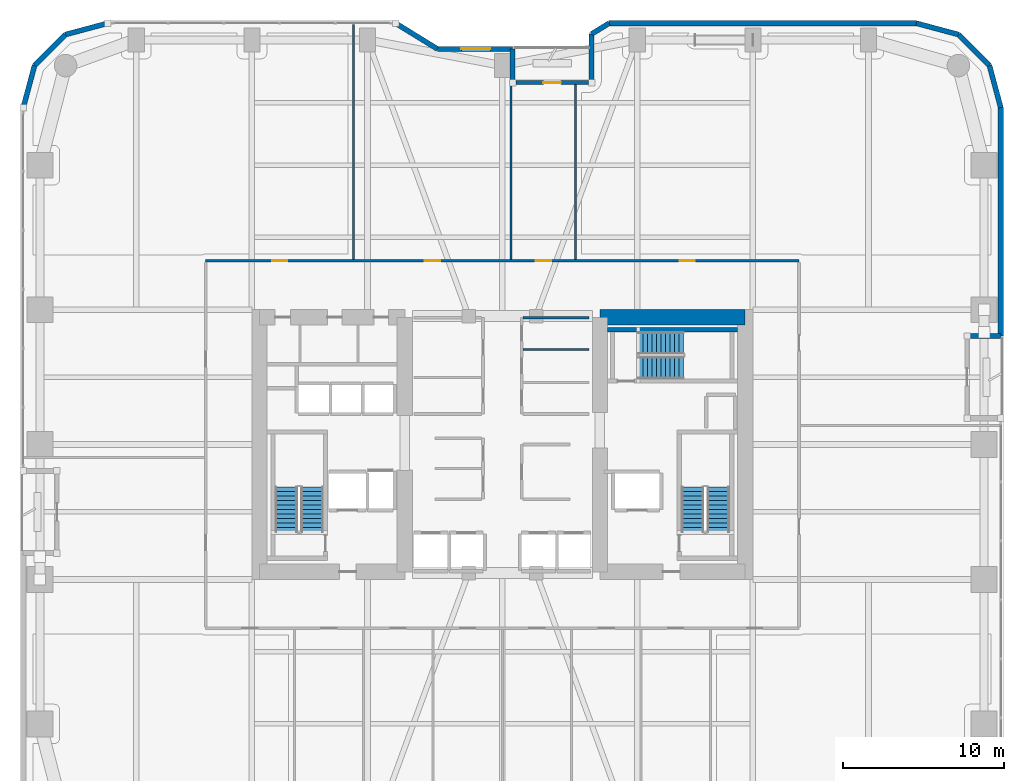
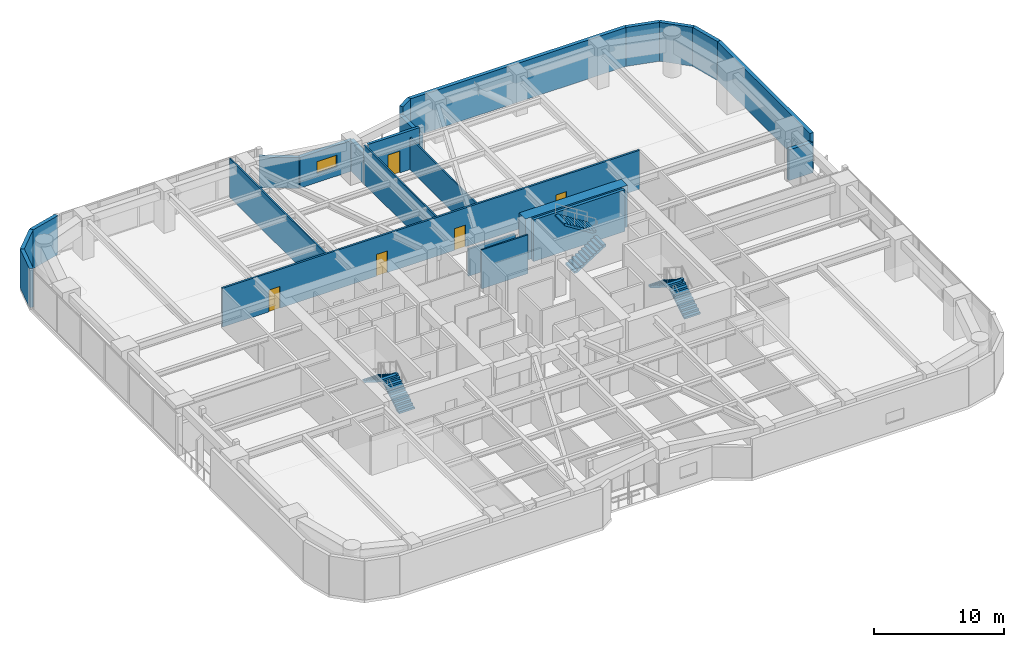
# One storey, part 25 of 28: 23 walls, 6 stair flights, 5 doors, 1 window, 6 openings, 3 elements without a shape of their own.
"""IFC4 building model written with IfcOpenShell, lengths in metres."""

import ifcopenshell
import ifcopenshell.guid

model = None  # the IFC model being written
_history = None  # IfcOwnerHistory: only IFC2X3 demands one
_inside = {}  # id of a spatial element -> (the spatial element, [elements in it])
_under = {}  # id of a project, library or spatial element -> (it, [spatial elements below it])
_declared = {}  # id of a project -> (the project, [libraries it declares])
_typed = {}  # id of a type object -> (the type object, [elements of that type])
_made_of = {}  # id of a material, layer set ... -> (it, [elements and type objects made of it])


def new_model(schema):
    """Start an empty IFC model of exactly this schema.

    Asked for "IFC4X3", IfcOpenShell would pick the latest addendum, in which some entities
    have other attributes; the version numbers below select the first issue.
    IFC2X3 requires an IfcOwnerHistory on every rooted entity: one is made here for all.
    """
    global model, _history
    if schema == "IFC4X3":
        model = ifcopenshell.file(schema_version=(4, 3, 0, 0))
    else:
        model = ifcopenshell.file(schema=schema)
    _inside.clear()
    _under.clear()
    _declared.clear()
    _typed.clear()
    _made_of.clear()
    _history = None
    if model.schema == "IFC2X3":
        org = make("IfcOrganization", Name="unknown")
        user = make(
            "IfcPersonAndOrganization",
            ThePerson=make("IfcPerson", FamilyName="unknown"),
            TheOrganization=org,
        )
        app = make(
            "IfcApplication",
            ApplicationDeveloper=org,
            Version="unknown",
            ApplicationFullName="unknown",
            ApplicationIdentifier="unknown",
        )
        _history = make(
            "IfcOwnerHistory",
            OwningUser=user,
            OwningApplication=app,
            ChangeAction="ADDED",
            CreationDate=0,
        )
    return model


def make(cls, **values):
    """One entity of the class cls with the attributes given. An attribute that is None is left unset."""
    return model.create_entity(
        cls, **{name: value for name, value in values.items() if value is not None}
    )


def rooted(cls, **values):
    """An entity with a GlobalId (a new one), such as an element, a storey or a relation."""
    return make(cls, GlobalId=ifcopenshell.guid.new(), OwnerHistory=_history, **values)


def si_unit(unit_type, name, prefix=None):
    """IfcSIUnit, for example si_unit("LENGTHUNIT", "METRE", prefix="MILLI")."""
    return make("IfcSIUnit", UnitType=unit_type, Prefix=prefix, Name=name)


def assignment(units):
    """IfcUnitAssignment: the units of a project."""
    return None if units is None else make("IfcUnitAssignment", Units=units)


def point(xyz):
    """IfcCartesianPoint."""
    return None if xyz is None else make("IfcCartesianPoint", Coordinates=xyz)


def direction(xyz):
    """IfcDirection."""
    return None if xyz is None else make("IfcDirection", DirectionRatios=xyz)


def frame(location, z_axis=None, x_axis=None):
    """IfcAxis2Placement3D, a coordinate frame: its origin and axes. An axis left out is left unset."""
    return make(
        "IfcAxis2Placement3D",
        Location=point(location),
        Axis=direction(z_axis),
        RefDirection=direction(x_axis),
    )


def frame_2d(location, x_axis=None):
    """IfcAxis2Placement2D, a coordinate frame in the plane: its origin and x axis."""
    return make(
        "IfcAxis2Placement2D", Location=point(location), RefDirection=direction(x_axis)
    )


def origin():
    """The frame at (0, 0, 0) with its axes left unset."""
    return frame((0.0, 0.0, 0.0))


def place(relative_to, where):
    """IfcLocalPlacement: puts the frame where relative to a parent placement (None: the world)."""
    return make(
        "IfcLocalPlacement", PlacementRelTo=relative_to, RelativePlacement=where
    )


def context(
    kind, dimensions, precision=None, world=None, true_north=None, identifier=None
):
    """IfcGeometricRepresentationContext, for example the 3D "Model" context."""
    return make(
        "IfcGeometricRepresentationContext",
        ContextIdentifier=identifier,
        ContextType=kind,
        CoordinateSpaceDimension=dimensions,
        Precision=precision,
        WorldCoordinateSystem=world,
        TrueNorth=true_north,
    )


def subcontext(parent, identifier, kind, view, scale=None):
    """IfcGeometricRepresentationSubContext, for example "Body" below "Model"."""
    return make(
        "IfcGeometricRepresentationSubContext",
        ContextIdentifier=identifier,
        ContextType=kind,
        ParentContext=parent,
        TargetScale=scale,
        TargetView=view,
    )


def project(units=None, contexts=None):
    """IfcProject with its units and contexts."""
    return rooted(
        "IfcProject",
        Name="project",
        RepresentationContexts=contexts,
        UnitsInContext=assignment(units),
    )


def spatial(cls, under=None, at=None, **own):
    """A site, building, storey or space (cls), placed at a placement, below another one or the project."""
    s = rooted(cls, ObjectPlacement=at, **own)
    if under is not None:
        _under.setdefault(under.id(), (under, []))[1].append(s)
    return s


def polyline(points):
    """IfcPolyline through the points."""
    return make("IfcPolyline", Points=[point(p) for p in points])


def profile(cls, at=None, kind="AREA", **sizes):
    """A parametric profile (cls). Its sizes go by their IFC names, for example OverallWidth=200.0."""
    return make(cls, ProfileType=kind, Position=at, **sizes)


def rectangle(**sizes):
    """IfcRectangleProfileDef."""
    return profile("IfcRectangleProfileDef", **sizes)


def outline(outer, holes=None, kind="AREA"):
    """IfcArbitraryClosedProfileDef: a profile drawn as a closed curve; with holes, ...WithVoids."""
    if holes is None:
        return make("IfcArbitraryClosedProfileDef", ProfileType=kind, OuterCurve=outer)
    return make(
        "IfcArbitraryProfileDefWithVoids",
        ProfileType=kind,
        OuterCurve=outer,
        InnerCurves=holes,
    )


def extrude(swept, where, along, depth):
    """IfcExtrudedAreaSolid: the profile swept, set in the frame where, extruded along a direction by depth."""
    return make(
        "IfcExtrudedAreaSolid",
        SweptArea=swept,
        Position=where,
        ExtrudedDirection=direction(along),
        Depth=depth,
    )


def shape(context_of_items, identifier, shape_type, items):
    """IfcShapeRepresentation: the items that make up one representation, for example the "Body"."""
    return make(
        "IfcShapeRepresentation",
        ContextOfItems=context_of_items,
        RepresentationIdentifier=identifier,
        RepresentationType=shape_type,
        Items=items,
    )


def material(Name=None, Category=None):
    """IfcMaterial."""
    return make("IfcMaterial", Name=Name, Category=Category)


def layer(
    of_material, thickness, ventilated=None, Name=None, Category=None, Priority=None
):
    """IfcMaterialLayer: one layer of a wall or slab, of a material (None: an air gap)."""
    return make(
        "IfcMaterialLayer",
        Material=of_material,
        LayerThickness=thickness,
        IsVentilated=ventilated,
        Name=Name,
        Category=Category,
        Priority=Priority,
    )


def layer_set(layers, Name=None):
    """IfcMaterialLayerSet."""
    return make("IfcMaterialLayerSet", MaterialLayers=layers, LayerSetName=Name)


def made_of(thing, what):
    """Note that an element or type object is made of a material, layer set ...; save() writes the relation."""
    if what is not None:
        _made_of.setdefault(what.id(), (what, []))[1].append(thing)
    return thing


def type_object(cls, material=None, **own):
    """A type object (cls), such as IfcWallType, which elements share."""
    return made_of(rooted(cls, **own), material)


def element(
    cls,
    number,
    at=None,
    inside=None,
    cuts=None,
    type_object=None,
    material=None,
    context=None,
    identifier="Body",
    shape_type=None,
    held_by="IfcProductDefinitionShape",
    body=None,
    shapes=None,
    **own,
):
    """One element of the class cls, such as IfcWall. Its Tag is "e" and its number.

    at: its placement. inside: the storey or other place that contains it. cuts: it is an
    opening in that element (IfcRelVoidsElement). A single representation is given by context,
    identifier, shape_type and body (its items); several are given by shapes. held_by: the class
    of the entity that holds the representations. save() writes the other relations.
    """
    e = rooted(cls, Tag="e%d" % number, ObjectPlacement=at, **own)
    if body is not None:
        shapes = [shape(context, identifier, shape_type, body)]
    if shapes is not None:
        e.Representation = make(held_by, Representations=shapes)
    if inside is not None:
        _inside.setdefault(inside.id(), (inside, []))[1].append(e)
    if cuts is not None:
        rooted(
            "IfcRelVoidsElement", RelatingBuildingElement=cuts, RelatedOpeningElement=e
        )
    if type_object is not None:
        _typed.setdefault(type_object.id(), (type_object, []))[1].append(e)
    return made_of(e, material)


def fill(opening, filler):
    """IfcRelFillsElement: the door or window that sits in an opening."""
    return rooted(
        "IfcRelFillsElement",
        RelatingOpeningElement=opening,
        RelatedBuildingElement=filler,
    )


def aggregate(whole, parts):
    """IfcRelAggregates: a whole, such as a stair, and the parts it consists of."""
    return rooted("IfcRelAggregates", RelatingObject=whole, RelatedObjects=parts)


def save(model, path):
    """Write the relations noted so far, then the file.

    IfcRelAggregates (storeys below a building ...), IfcRelContainedInSpatialStructure (elements
    in a storey), IfcRelDefinesByType, IfcRelAssociatesMaterial and IfcRelDeclares: one each for
    every whole, place, type object, material and project.
    """
    for whole, parts in _under.values():
        aggregate(whole, parts)
    for where, things in _inside.values():
        rooted(
            "IfcRelContainedInSpatialStructure",
            RelatedElements=things,
            RelatingStructure=where,
        )
    for kind, things in _typed.values():
        rooted("IfcRelDefinesByType", RelatedObjects=things, RelatingType=kind)
    for what, things in _made_of.values():
        rooted("IfcRelAssociatesMaterial", RelatedObjects=things, RelatingMaterial=what)
    for by, libraries in _declared.values():
        rooted("IfcRelDeclares", RelatingContext=by, RelatedDefinitions=libraries)
    model.write(path)


model = new_model("IFC4")

# Units and contexts
model_context = context("Model", 3, precision=1e-05, world=origin(), true_north=direction((0.0, 1.0)))
body_context = subcontext(model_context, "Body", "Model", "MODEL_VIEW")
ifc_project = project(units=[si_unit("LENGTHUNIT", "METRE"), si_unit("AREAUNIT", "SQUARE_METRE"), si_unit("VOLUMEUNIT", "CUBIC_METRE"), si_unit("PLANEANGLEUNIT", "RADIAN"), si_unit("MASSUNIT", "GRAM", prefix="KILO")], contexts=[model_context])

# Site, building, storey
site_placement = place(None, origin())
site = spatial("IfcSite", under=ifc_project, at=site_placement, CompositionType="ELEMENT")
building_placement = place(site_placement, origin())
building = spatial("IfcBuilding", under=site, at=building_placement, Name="Kiyonajd Concourse Tower", CompositionType="ELEMENT")
storey_placement = place(building_placement, frame((0.0, 0.0, 60.60009765625)))
storey = spatial("IfcBuildingStorey", under=building, at=storey_placement, Name="L16", CompositionType="ELEMENT", Elevation=60.60009765625)

# Walls
ifc_material_1 = material(Name="Concrete C80/95", Category="concrete")
ifc_layer_1 = layer(ifc_material_1, 0.949951171875)
ifc_layer_set_1 = layer_set([ifc_layer_1], Name="Concrete C80/95")
wall_type_1 = type_object("IfcWallType", Name="WL-CORE-950", PredefinedType="SHEAR", material=ifc_layer_set_1)
wall_1_placement = place(storey_placement, frame((54.074951171875, 43.925048828125, 0.0), z_axis=(0.0, 0.0, 1.0), x_axis=(1.0, 0.0, 0.0)))
element("IfcWall", 1, at=wall_1_placement, inside=storey, type_object=wall_type_1, Name="L16 East Core North Shear Wall", PredefinedType="SHEAR", context=body_context, shape_type="SweptSolid", body=[
    extrude(rectangle(XDim=9.050048828125, YDim=0.949951171875, at=frame_2d((4.52490234375, 0.0))), origin(), (0.0, 0.0, 1.0), 3.89990234375),
])
ifc_material_2 = material(Name="Precast concrete C50/60", Category="concrete")
ifc_layer_2 = layer(ifc_material_2, 0.320068359375)
ifc_layer_set_2 = layer_set([ifc_layer_2], Name="Precast concrete C50/60")
wall_type_2 = type_object("IfcWallType", Name="WL-EXT-320", PredefinedType="SOLIDWALL", material=ifc_layer_set_2)
wall_2_placement = place(storey_placement, frame((18.159912109375, 56.97900390625, 0.0), z_axis=(0.0, 0.0, 1.0), x_axis=(0.25869736047, 0.965958423373, 0.0)))
element("IfcWall", 2, at=wall_2_placement, inside=storey, type_object=wall_type_2, Name="L16 Exterior Concrete Frame Wall 06", PredefinedType="SOLIDWALL", context=body_context, shape_type="SweptSolid", body=[
    extrude(rectangle(XDim=2.731201171875, YDim=0.320068359375, at=frame_2d((1.36572265625, 0.0))), origin(), (0.0, 0.0, 1.0), 3.639892578125),
])
wall_3_placement = place(storey_placement, frame((18.866455078125, 59.6171875, 0.0), z_axis=(0.0, 0.0, 1.0), x_axis=(0.707106781187, 0.707106781187, 0.0)))
element("IfcWall", 3, at=wall_3_placement, inside=storey, type_object=wall_type_2, Name="L16 Exterior Concrete Frame Wall 07", PredefinedType="SOLIDWALL", context=body_context, shape_type="SweptSolid", body=[
    extrude(rectangle(XDim=2.7099609375, YDim=0.320068359375, at=frame_2d((1.35498046875, 0.0))), origin(), (0.0, 0.0, 1.0), 3.639892578125),
])
wall_4_placement = place(storey_placement, frame((20.78271484375, 61.533447265625, 0.0), z_axis=(0.0, 0.0, 1.0), x_axis=(0.965964405026, 0.25867502435, 0.0)))
element("IfcWall", 4, at=wall_4_placement, inside=storey, type_object=wall_type_2, Name="L16 Exterior Concrete Frame Wall 08", PredefinedType="SOLIDWALL", context=body_context, shape_type="SweptSolid", body=[
    extrude(rectangle(XDim=2.7314453125, YDim=0.320068359375, at=frame_2d((1.36572265625, 0.0))), origin(), (0.0, 0.0, 1.0), 3.639892578125),
])
wall_5_placement = place(storey_placement, frame((41.354736328125, 62.239990234375, 0.0), z_axis=(0.0, 0.0, 1.0), x_axis=(0.851630857047, -0.524142044989, 0.0)))
element("IfcWall", 5, at=wall_5_placement, inside=storey, type_object=wall_type_2, Name="L16 Exterior Concrete Frame Wall 10", PredefinedType="SOLIDWALL", context=body_context, shape_type="SweptSolid", body=[
    extrude(rectangle(XDim=3.052734375, YDim=0.320068359375, at=frame_2d((1.5263671875, 0.0))), origin(), (0.0, 0.0, 1.0), 2.875),
])

# Wall, opening, window
wall_6_placement = place(storey_placement, frame((43.95458984375, 60.639892578125, 0.0), z_axis=(0.0, 0.0, 1.0), x_axis=(1.0, 0.0, 0.0)))
wall_6 = element("IfcWall", 6, at=wall_6_placement, inside=storey, type_object=wall_type_2, Name="L16 Exterior Concrete Frame Wall 11", PredefinedType="SOLIDWALL", context=body_context, shape_type="SweptSolid", body=[
    extrude(rectangle(XDim=4.685302734375, YDim=0.320068359375, at=frame_2d((2.3427734375, 0.0))), origin(), (0.0, 0.0, 1.0), 2.875),
])
opening_1_placement = place(wall_6_placement, frame((1.492919921875, 0.0, 0.85009765625)))
opening_1 = element("IfcOpeningElement", 7, at=opening_1_placement, cuts=wall_6, Name="Opening WN1", PredefinedType="OPENING", context=body_context, shape_type="SweptSolid", body=[
    extrude(rectangle(XDim=1.800048828125, YDim=1.10009765625, at=frame_2d((0.89990234375, 0.550048828125))), frame((0.0, 0.169921875, 0.0), z_axis=(0.0, -1.0, 0.0), x_axis=(1.0, 0.0, 0.0)), (0.0, 0.0, 1.0), 0.340087890625),
])
ifc_material_3 = material(Name="Double Low-E Insulated Glass", Category="glass")
window_type = type_object("IfcWindowType", Name="WN-VIS-1800x1100", PartitioningType="SINGLE_PANEL", PredefinedType="WINDOW", material=ifc_material_3)
window_placement = place(opening_1_placement, origin())
window = element("IfcWindow", 8, at=window_placement, inside=storey, type_object=window_type, Name="L16 Modular Facade Vision Window 11", OverallHeight=1.10009765625, OverallWidth=1.800048828125, PartitioningType="SINGLE_PANEL", PredefinedType="WINDOW", context=body_context, shape_type="SweptSolid", body=[
    extrude(rectangle(XDim=1.800048828125, YDim=1.10009765625, at=frame_2d((0.89990234375, 0.550048828125))), frame((0.0, 0.030029296875, 0.0), z_axis=(0.0, -1.0, 0.0), x_axis=(1.0, 0.0, 0.0)), (0.0, 0.0, 1.0), 0.06005859375),
])
fill(opening_1, window)

# Walls
wall_7_placement = place(storey_placement, frame((48.639892578125, 60.639892578125, 0.0), z_axis=(0.0, 0.0, 1.0), x_axis=(0.0, -1.0, 0.0)))
element("IfcWall", 9, at=wall_7_placement, inside=storey, type_object=wall_type_2, Name="L16 Exterior Concrete Frame Wall 12", PredefinedType="SOLIDWALL", context=body_context, shape_type="SweptSolid", body=[
    extrude(rectangle(XDim=2.099853515625, YDim=0.320068359375, at=frame_2d((1.0498046875, 0.0))), origin(), (0.0, 0.0, 1.0), 2.875),
])
wall_8_placement = place(storey_placement, frame((53.56005859375, 58.5400390625, 0.0), z_axis=(0.0, 0.0, 1.0), x_axis=(0.0, 1.0, 0.0)))
element("IfcWall", 10, at=wall_8_placement, inside=storey, type_object=wall_type_2, Name="L16 Exterior Concrete Frame Wall 14", PredefinedType="SOLIDWALL", context=body_context, shape_type="SweptSolid", body=[
    extrude(rectangle(XDim=3.032470703125, YDim=0.320068359375, at=frame_2d((1.51611328125, 0.0))), origin(), (0.0, 0.0, 1.0), 2.875),
])
wall_9_placement = place(storey_placement, frame((53.56005859375, 61.572509765625, 0.0), z_axis=(0.0, 0.0, 1.0), x_axis=(0.851776724646, 0.523904964045, 0.0)))
element("IfcWall", 11, at=wall_9_placement, inside=storey, type_object=wall_type_2, Name="L16 Exterior Concrete Frame Wall 15", PredefinedType="SOLIDWALL", context=body_context, shape_type="SweptSolid", body=[
    extrude(rectangle(XDim=1.274169921875, YDim=0.320068359375, at=frame_2d((0.63720703125, 0.0))), origin(), (0.0, 0.0, 1.0), 3.639892578125),
])
wall_10_placement = place(storey_placement, frame((54.645263671875, 62.239990234375, 0.0), z_axis=(0.0, 0.0, 1.0), x_axis=(1.0, 0.0, 0.0)))
element("IfcWall", 12, at=wall_10_placement, inside=storey, type_object=wall_type_2, Name="L16 Exterior Concrete Frame Wall 16", PredefinedType="SOLIDWALL", context=body_context, shape_type="SweptSolid", body=[
    extrude(rectangle(XDim=19.133544921875, YDim=0.320068359375, at=frame_2d((9.56689453125, 0.0))), origin(), (0.0, 0.0, 1.0), 3.639892578125),
])
wall_11_placement = place(storey_placement, frame((73.77880859375, 62.239990234375, 0.0), z_axis=(0.0, 0.0, 1.0), x_axis=(0.965964405026, -0.25867502435, 0.0)))
element("IfcWall", 13, at=wall_11_placement, inside=storey, type_object=wall_type_2, Name="L16 Exterior Concrete Frame Wall 17", PredefinedType="SOLIDWALL", context=body_context, shape_type="SweptSolid", body=[
    extrude(rectangle(XDim=2.7314453125, YDim=0.320068359375, at=frame_2d((1.36572265625, 0.0))), origin(), (0.0, 0.0, 1.0), 3.639892578125),
])
wall_12_placement = place(storey_placement, frame((76.417236328125, 61.533447265625, 0.0), z_axis=(0.0, 0.0, 1.0), x_axis=(0.707106781187, -0.707106781187, 0.0)))
element("IfcWall", 14, at=wall_12_placement, inside=storey, type_object=wall_type_2, Name="L16 Exterior Concrete Frame Wall 18", PredefinedType="SOLIDWALL", context=body_context, shape_type="SweptSolid", body=[
    extrude(rectangle(XDim=2.7099609375, YDim=0.320068359375, at=frame_2d((1.35498046875, 0.0))), origin(), (0.0, 0.0, 1.0), 3.639892578125),
])
wall_13_placement = place(storey_placement, frame((78.33349609375, 59.6171875, 0.0), z_axis=(0.0, 0.0, 1.0), x_axis=(0.25869736047, -0.965958423373, 0.0)))
element("IfcWall", 15, at=wall_13_placement, inside=storey, type_object=wall_type_2, Name="L16 Exterior Concrete Frame Wall 19", PredefinedType="SOLIDWALL", context=body_context, shape_type="SweptSolid", body=[
    extrude(rectangle(XDim=2.731201171875, YDim=0.320068359375, at=frame_2d((1.36572265625, 0.0))), origin(), (0.0, 0.0, 1.0), 3.639892578125),
])
wall_14_placement = place(storey_placement, frame((79.0400390625, 56.97900390625, 0.0), z_axis=(0.0, 0.0, 1.0), x_axis=(0.0, -1.0, 0.0)))
element("IfcWall", 16, at=wall_14_placement, inside=storey, type_object=wall_type_2, Name="L16 Exterior Concrete Frame Wall 20", PredefinedType="SOLIDWALL", context=body_context, shape_type="SweptSolid", body=[
    extrude(rectangle(XDim=14.218994140625, YDim=0.320068359375, at=frame_2d((7.109375, 0.0))), origin(), (0.0, 0.0, 1.0), 3.639892578125),
])
wall_15_placement = place(storey_placement, frame((79.0400390625, 42.760009765625, 0.0), z_axis=(0.0, 0.0, 1.0), x_axis=(-1.0, 0.0, 0.0)))
element("IfcWall", 17, at=wall_15_placement, inside=storey, type_object=wall_type_2, Name="L16 Exterior Concrete Frame Wall 21", PredefinedType="SOLIDWALL", context=body_context, shape_type="SweptSolid", body=[
    extrude(rectangle(XDim=2.10009765625, YDim=0.320068359375, at=frame_2d((1.050048828125, 0.0))), origin(), (0.0, 0.0, 1.0), 2.875),
])

# Wall, opening, door
ifc_layer_3 = layer(ifc_material_2, 0.239990234375)
ifc_layer_set_3 = layer_set([ifc_layer_3], Name="Precast concrete C50/60")
wall_type_3 = type_object("IfcWallType", Name="WL-LOG-240", PredefinedType="SOLIDWALL", material=ifc_layer_set_3)
wall_16_placement = place(storey_placement, frame((48.8349609375, 58.5400390625, 0.0), z_axis=(0.0, 0.0, 1.0), x_axis=(1.0, 0.0, 0.0)))
wall_16 = element("IfcWall", 18, at=wall_16_placement, inside=storey, type_object=wall_type_3, Name="L16 Recessed Loggia Thermal Wall LOG-N", PredefinedType="SOLIDWALL", context=body_context, shape_type="SweptSolid", body=[
    extrude(rectangle(XDim=4.530029296875, YDim=0.239990234375, at=frame_2d((2.26513671875, 0.0))), origin(), (0.0, 0.0, 1.0), 3.639892578125),
])
opening_2_placement = place(wall_16_placement, frame((1.715087890625, 0.0, 0.0)))
opening_2 = element("IfcOpeningElement", 19, at=opening_2_placement, cuts=wall_16, Name="Opening DL2", PredefinedType="OPENING", context=body_context, shape_type="SweptSolid", body=[
    extrude(rectangle(XDim=1.10009765625, YDim=2.0400390625, at=frame_2d((0.550048828125, 1.02001953125))), frame((0.0, 0.1298828125, 0.0), z_axis=(0.0, -1.0, 0.0), x_axis=(1.0, 0.0, 0.0)), (0.0, 0.0, 1.0), 0.260009765625),
])
ifc_material_4 = material(Name="Thermally Broken Anodised Aluminium", Category="aluminium")
door_type_1 = type_object("IfcDoorType", Name="DR-LOG-1100", OperationType="NOTDEFINED", PredefinedType="DOOR", material=ifc_material_4)
door_1_placement = place(opening_2_placement, origin())
door_1 = element("IfcDoor", 20, at=door_1_placement, inside=storey, type_object=door_type_1, Name="L16 Engawa Loggia Access Door LOG-N", OperationType="SINGLE_SWING_RIGHT", OverallHeight=2.0400390625, OverallWidth=1.10009765625, PredefinedType="DOOR", context=body_context, shape_type="SweptSolid", body=[
    extrude(rectangle(XDim=1.10009765625, YDim=2.0400390625, at=frame_2d((0.550048828125, 1.02001953125))), frame((0.0, 0.02490234375, 0.0), z_axis=(0.0, -1.0, 0.0), x_axis=(1.0, 0.0, 0.0)), (0.0, 0.0, 1.0), 0.050048828125),
])
fill(opening_2, door_1)

# Walls
ifc_material_5 = material(Name="Gypsum Board on Cold-Formed Steel Stud", Category="steel")
ifc_layer_4 = layer(ifc_material_5, 0.125)
ifc_layer_set_4 = layer_set([ifc_layer_4], Name="Gypsum Board on Cold-Formed Steel Stud")
wall_type_4 = type_object("IfcWallType", Name="WL-PART-125", PredefinedType="PARTITIONING", material=ifc_layer_set_4)
wall_17_placement = place(storey_placement, frame((49.287109375, 41.919921875, 0.0), z_axis=(0.0, 0.0, 1.0), x_axis=(1.0, 0.0, 0.0)))
element("IfcWall", 21, at=wall_17_placement, inside=storey, type_object=wall_type_4, Name="L16 Interior Partition Wall", PredefinedType="PARTITIONING", context=body_context, shape_type="SweptSolid", body=[
    extrude(rectangle(XDim=4.11279296875, YDim=0.125, at=frame_2d((2.056396484375, 0.0))), origin(), (0.0, 0.0, 1.0), 3.639892578125),
])
wall_18_placement = place(storey_placement, frame((38.739990234375, 47.527099609375, 0.0), z_axis=(0.0, 0.0, 1.0), x_axis=(0.0, 1.0, 0.0)))
element("IfcWall", 22, at=wall_18_placement, inside=storey, type_object=wall_type_4, Name="L16 Interior Partition Wall", PredefinedType="PARTITIONING", context=body_context, shape_type="SweptSolid", body=[
    extrude(rectangle(XDim=14.6279296875, YDim=0.125, at=frame_2d((7.31396484375, 0.0))), origin(), (0.0, 0.0, 1.0), 3.639892578125),
])
wall_19_placement = place(storey_placement, frame((48.550048828125, 47.527099609375, 0.0), z_axis=(0.0, 0.0, 1.0), x_axis=(0.0, 1.0, 0.0)))
element("IfcWall", 23, at=wall_19_placement, inside=storey, type_object=wall_type_4, Name="L16 Interior Partition Wall", PredefinedType="PARTITIONING", context=body_context, shape_type="SweptSolid", body=[
    extrude(rectangle(XDim=11.012939453125, YDim=0.125, at=frame_2d((5.50634765625, 0.0))), origin(), (0.0, 0.0, 1.0), 3.639892578125),
])
wall_20_placement = place(storey_placement, frame((52.56005859375, 47.527099609375, 0.0), z_axis=(0.0, 0.0, 1.0), x_axis=(0.0, 1.0, 0.0)))
element("IfcWall", 24, at=wall_20_placement, inside=storey, type_object=wall_type_4, Name="L16 Interior Partition Wall", PredefinedType="PARTITIONING", context=body_context, shape_type="SweptSolid", body=[
    extrude(rectangle(XDim=10.89794921875, YDim=0.125, at=frame_2d((5.448974609375, 0.0))), origin(), (0.0, 0.0, 1.0), 3.0029296875),
])
ifc_layer_5 = layer(ifc_material_5, 0.169921875)
ifc_layer_set_5 = layer_set([ifc_layer_5], Name="Gypsum Board on Cold-Formed Steel Stud")
wall_type_5 = type_object("IfcWallType", Name="WL-SMK-170", PredefinedType="PARTITIONING", material=ifc_layer_set_5)
wall_21_placement = place(storey_placement, frame((49.287109375, 43.89990234375, 0.0), z_axis=(0.0, 0.0, 1.0), x_axis=(1.0, 0.0, 0.0)))
element("IfcWall", 25, at=wall_21_placement, inside=storey, type_object=wall_type_5, Name="L16 Interior Partition Wall", PredefinedType="PARTITIONING", context=body_context, shape_type="SweptSolid", body=[
    extrude(rectangle(XDim=4.11279296875, YDim=0.169921875, at=frame_2d((2.056396484375, 0.0))), origin(), (0.0, 0.0, 1.0), 2.52490234375),
])

# Wall, openings, doors
wall_22_placement = place(storey_placement, frame((29.52490234375, 47.43994140625, 0.0), z_axis=(0.0, 0.0, 1.0), x_axis=(1.0, 0.0, 0.0)))
wall_22 = element("IfcWall", 26, at=wall_22_placement, inside=storey, type_object=wall_type_5, Name="L16 Interior Partition Wall", PredefinedType="PARTITIONING", context=body_context, shape_type="SweptSolid", body=[
    extrude(rectangle(XDim=36.9501953125, YDim=0.169921875, at=frame_2d((18.47509765625, 0.0))), origin(), (0.0, 0.0, 1.0), 3.639892578125),
])
opening_3_placement = place(wall_22_placement, frame((4.133056640625, 0.0, 0.0)))
opening_3 = element("IfcOpeningElement", 27, at=opening_3_placement, cuts=wall_22, Name="Opening DI1", PredefinedType="OPENING", context=body_context, shape_type="SweptSolid", body=[
    extrude(rectangle(XDim=0.949951171875, YDim=2.0400390625, at=frame_2d((0.47509765625, 1.02001953125))), frame((0.0, 0.094970703125, 0.0), z_axis=(0.0, -1.0, 0.0), x_axis=(1.0, 0.0, 0.0)), (0.0, 0.0, 1.0), 0.18994140625),
])
opening_4_placement = place(wall_22_placement, frame((13.64501953125, 0.0, 0.0)))
opening_4 = element("IfcOpeningElement", 28, at=opening_4_placement, cuts=wall_22, Name="Opening DI1", PredefinedType="OPENING", context=body_context, shape_type="SweptSolid", body=[
    extrude(rectangle(XDim=0.949951171875, YDim=2.0400390625, at=frame_2d((0.47509765625, 1.02001953125))), frame((0.0, 0.094970703125, 0.0), z_axis=(0.0, -1.0, 0.0), x_axis=(1.0, 0.0, 0.0)), (0.0, 0.0, 1.0), 0.18994140625),
])
opening_5_placement = place(wall_22_placement, frame((20.554931640625, 0.0, 0.0)))
opening_5 = element("IfcOpeningElement", 29, at=opening_5_placement, cuts=wall_22, Name="Opening DI1", PredefinedType="OPENING", context=body_context, shape_type="SweptSolid", body=[
    extrude(rectangle(XDim=0.949951171875, YDim=2.0400390625, at=frame_2d((0.47509765625, 1.02001953125))), frame((0.0, 0.094970703125, 0.0), z_axis=(0.0, -1.0, 0.0), x_axis=(1.0, 0.0, 0.0)), (0.0, 0.0, 1.0), 0.18994140625),
])
opening_6_placement = place(wall_22_placement, frame((29.51708984375, 0.0, 0.0)))
opening_6 = element("IfcOpeningElement", 30, at=opening_6_placement, cuts=wall_22, Name="Opening DI1", PredefinedType="OPENING", context=body_context, shape_type="SweptSolid", body=[
    extrude(rectangle(XDim=0.949951171875, YDim=2.0400390625, at=frame_2d((0.47509765625, 1.02001953125))), frame((0.0, 0.094970703125, 0.0), z_axis=(0.0, -1.0, 0.0), x_axis=(1.0, 0.0, 0.0)), (0.0, 0.0, 1.0), 0.18994140625),
])
ifc_material_6 = material(Name="Natural Oak Acoustic Timber Veneer", Category="wood")
door_type_2 = type_object("IfcDoorType", Name="DR-INT-950", OperationType="NOTDEFINED", PredefinedType="DOOR", material=ifc_material_6)
door_2_placement = place(opening_3_placement, origin())
door_2 = element("IfcDoor", 31, at=door_2_placement, inside=storey, type_object=door_type_2, Name="L16 Interior Door", OperationType="SINGLE_SWING_LEFT", OverallHeight=2.0400390625, OverallWidth=0.949951171875, PredefinedType="DOOR", context=body_context, shape_type="SweptSolid", body=[
    extrude(rectangle(XDim=0.949951171875, YDim=2.0400390625, at=frame_2d((0.47509765625, 1.02001953125))), frame((0.0, 0.02490234375, 0.0), z_axis=(0.0, -1.0, 0.0), x_axis=(1.0, 0.0, 0.0)), (0.0, 0.0, 1.0), 0.050048828125),
])
fill(opening_3, door_2)
door_3_placement = place(opening_4_placement, origin())
door_3 = element("IfcDoor", 32, at=door_3_placement, inside=storey, type_object=door_type_2, Name="L16 Interior Door", OperationType="SINGLE_SWING_RIGHT", OverallHeight=2.0400390625, OverallWidth=0.949951171875, PredefinedType="DOOR", context=body_context, shape_type="SweptSolid", body=[
    extrude(rectangle(XDim=0.949951171875, YDim=2.0400390625, at=frame_2d((0.47509765625, 1.02001953125))), frame((0.0, 0.02490234375, 0.0), z_axis=(0.0, -1.0, 0.0), x_axis=(1.0, 0.0, 0.0)), (0.0, 0.0, 1.0), 0.050048828125),
])
fill(opening_4, door_3)
door_4_placement = place(opening_5_placement, origin())
door_4 = element("IfcDoor", 33, at=door_4_placement, inside=storey, type_object=door_type_2, Name="L16 Interior Door", OperationType="SINGLE_SWING_LEFT", OverallHeight=2.0400390625, OverallWidth=0.949951171875, PredefinedType="DOOR", context=body_context, shape_type="SweptSolid", body=[
    extrude(rectangle(XDim=0.949951171875, YDim=2.0400390625, at=frame_2d((0.47509765625, 1.02001953125))), frame((0.0, 0.02490234375, 0.0), z_axis=(0.0, -1.0, 0.0), x_axis=(1.0, 0.0, 0.0)), (0.0, 0.0, 1.0), 0.050048828125),
])
fill(opening_5, door_4)
door_5_placement = place(opening_6_placement, origin())
door_5 = element("IfcDoor", 34, at=door_5_placement, inside=storey, type_object=door_type_2, Name="L16 Interior Door", OperationType="SINGLE_SWING_RIGHT", OverallHeight=2.0400390625, OverallWidth=0.949951171875, PredefinedType="DOOR", context=body_context, shape_type="SweptSolid", body=[
    extrude(rectangle(XDim=0.949951171875, YDim=2.0400390625, at=frame_2d((0.47509765625, 1.02001953125))), frame((0.0, 0.02490234375, 0.0), z_axis=(0.0, -1.0, 0.0), x_axis=(1.0, 0.0, 0.0)), (0.0, 0.0, 1.0), 0.050048828125),
])
fill(opening_6, door_5)

# Wall
ifc_material_7 = material(Name="Concrete C50/60", Category="concrete")
ifc_layer_6 = layer(ifc_material_7, 0.260009765625)
ifc_layer_set_6 = layer_set([ifc_layer_6], Name="Concrete C50/60")
wall_type_6 = type_object("IfcWallType", Name="WL-STAIR-260", PredefinedType="SHEAR", material=ifc_layer_set_6)
wall_23_placement = place(storey_placement, frame((54.550048828125, 43.14990234375, 0.0), z_axis=(0.0, 0.0, 1.0), x_axis=(1.0, 0.0, 0.0)))
element("IfcWall", 35, at=wall_23_placement, inside=storey, type_object=wall_type_6, Name="L16 Stair ST3 Structural North Wall", PredefinedType="SHEAR", context=body_context, shape_type="SweptSolid", body=[
    extrude(rectangle(XDim=8.099853515625, YDim=0.260009765625, at=frame_2d((4.0498046875, 0.0))), origin(), (0.0, 0.0, 1.0), 3.89990234375),
])

# Stair, stair flights
ifc_material_8 = material(Name="Concrete C40/50", Category="concrete")
stair_type = type_object("IfcStairType", Name="ST-DLG-22R", PredefinedType="HALF_TURN_STAIR", material=ifc_material_8)
stair_1_placement = place(storey_placement, origin())
stair_1 = element("IfcStair", 36, at=stair_1_placement, inside=storey, type_object=stair_type, Name="L16 Protected Exit Stair ST1", PredefinedType="HALF_TURN_STAIR")
stair_flight_type = type_object("IfcStairFlightType", Name="SF-STR-22R", PredefinedType="STRAIGHT", material=ifc_material_8)
stair_flight_1_placement = place(storey_placement, frame((36.14990234375, 30.550048828125, 0.0), z_axis=(0.0, 0.0, 1.0), x_axis=(0.0, 1.0, 0.0)))
stair_flight_1 = element("IfcStairFlight", 37, at=stair_flight_1_placement, type_object=stair_flight_type, Name="ST1 flight 1", NumberOfRisers=11, NumberOfTreads=10, PredefinedType="STRAIGHT", RiserHeight=0.177272727, TreadLength=0.28, context=body_context, shape_type="SweptSolid", body=[
    extrude(outline(polyline([(0.0, 0.0), (0.0, 0.17724609375), (0.280029296875, 0.17724609375), (0.280029296875, 0.3544921875), (0.56005859375, 0.3544921875), (0.56005859375, 0.53173828125), (0.840087890625, 0.53173828125), (0.840087890625, 0.708984375), (1.1201171875, 0.708984375), (1.1201171875, 0.886474609375), (1.39990234375, 0.886474609375), (1.39990234375, 1.063720703125), (1.679931640625, 1.063720703125), (1.679931640625, 1.240966796875), (1.9599609375, 1.240966796875), (1.9599609375, 1.418212890625), (2.239990234375, 1.418212890625), (2.239990234375, 1.595458984375), (2.52001953125, 1.595458984375), (2.52001953125, 1.772705078125), (2.800048828125, 1.772705078125), (2.800048828125, 1.949951171875), (2.800048828125, 1.59521484375), (0.2802734375, 0.0), (0.0, 0.0)])), frame((0.0, 0.699951171875, 0.0), z_axis=(0.0, -1.0, 0.0), x_axis=(1.0, 0.0, 0.0)), (0.0, 0.0, 1.0), 1.39990234375),
])
stair_flight_2_placement = place(storey_placement, frame((34.550048828125, 33.35009765625, 1.949951171875), z_axis=(0.0, 0.0, 1.0), x_axis=(0.0, -1.0, 0.0)))
stair_flight_2 = element("IfcStairFlight", 38, at=stair_flight_2_placement, type_object=stair_flight_type, Name="ST1 flight 2", NumberOfRisers=11, NumberOfTreads=10, PredefinedType="STRAIGHT", RiserHeight=0.177272727, TreadLength=0.28, context=body_context, shape_type="SweptSolid", body=[
    extrude(outline(polyline([(0.0, 0.0), (0.0, 0.17724609375), (0.280029296875, 0.17724609375), (0.280029296875, 0.3544921875), (0.56005859375, 0.3544921875), (0.56005859375, 0.53173828125), (0.840087890625, 0.53173828125), (0.840087890625, 0.708984375), (1.1201171875, 0.708984375), (1.1201171875, 0.886474609375), (1.39990234375, 0.886474609375), (1.39990234375, 1.063720703125), (1.679931640625, 1.063720703125), (1.679931640625, 1.240966796875), (1.9599609375, 1.240966796875), (1.9599609375, 1.418212890625), (2.239990234375, 1.418212890625), (2.239990234375, 1.595458984375), (2.52001953125, 1.595458984375), (2.52001953125, 1.772705078125), (2.800048828125, 1.772705078125), (2.800048828125, 1.949951171875), (2.800048828125, 1.59521484375), (0.2802734375, 0.0), (0.0, 0.0)])), frame((0.0, 0.699951171875, 0.0), z_axis=(0.0, -1.0, 0.0), x_axis=(1.0, 0.0, 0.0)), (0.0, 0.0, 1.0), 1.39990234375),
])
aggregate(stair_1, [stair_flight_1, stair_flight_2])

stair_2_placement = place(storey_placement, origin())
stair_2 = element("IfcStair", 39, at=stair_2_placement, inside=storey, type_object=stair_type, Name="L16 Protected Exit Stair ST2", PredefinedType="HALF_TURN_STAIR")
stair_flight_3_placement = place(storey_placement, frame((61.449951171875, 30.550048828125, 0.0), z_axis=(0.0, 0.0, 1.0), x_axis=(0.0, 1.0, 0.0)))
stair_flight_3 = element("IfcStairFlight", 40, at=stair_flight_3_placement, type_object=stair_flight_type, Name="ST2 flight 1", NumberOfRisers=11, NumberOfTreads=10, PredefinedType="STRAIGHT", RiserHeight=0.177272727, TreadLength=0.28, context=body_context, shape_type="SweptSolid", body=[
    extrude(outline(polyline([(0.0, 0.0), (0.0, 0.17724609375), (0.280029296875, 0.17724609375), (0.280029296875, 0.3544921875), (0.56005859375, 0.3544921875), (0.56005859375, 0.53173828125), (0.840087890625, 0.53173828125), (0.840087890625, 0.708984375), (1.1201171875, 0.708984375), (1.1201171875, 0.886474609375), (1.39990234375, 0.886474609375), (1.39990234375, 1.063720703125), (1.679931640625, 1.063720703125), (1.679931640625, 1.240966796875), (1.9599609375, 1.240966796875), (1.9599609375, 1.418212890625), (2.239990234375, 1.418212890625), (2.239990234375, 1.595458984375), (2.52001953125, 1.595458984375), (2.52001953125, 1.772705078125), (2.800048828125, 1.772705078125), (2.800048828125, 1.949951171875), (2.800048828125, 1.59521484375), (0.2802734375, 0.0), (0.0, 0.0)])), frame((0.0, 0.699951171875, 0.0), z_axis=(0.0, -1.0, 0.0), x_axis=(1.0, 0.0, 0.0)), (0.0, 0.0, 1.0), 1.39990234375),
])
stair_flight_4_placement = place(storey_placement, frame((59.85009765625, 33.35009765625, 1.949951171875), z_axis=(0.0, 0.0, 1.0), x_axis=(0.0, -1.0, 0.0)))
stair_flight_4 = element("IfcStairFlight", 41, at=stair_flight_4_placement, type_object=stair_flight_type, Name="ST2 flight 2", NumberOfRisers=11, NumberOfTreads=10, PredefinedType="STRAIGHT", RiserHeight=0.177272727, TreadLength=0.28, context=body_context, shape_type="SweptSolid", body=[
    extrude(outline(polyline([(0.0, 0.0), (0.0, 0.17724609375), (0.280029296875, 0.17724609375), (0.280029296875, 0.3544921875), (0.56005859375, 0.3544921875), (0.56005859375, 0.53173828125), (0.840087890625, 0.53173828125), (0.840087890625, 0.708984375), (1.1201171875, 0.708984375), (1.1201171875, 0.886474609375), (1.39990234375, 0.886474609375), (1.39990234375, 1.063720703125), (1.679931640625, 1.063720703125), (1.679931640625, 1.240966796875), (1.9599609375, 1.240966796875), (1.9599609375, 1.418212890625), (2.239990234375, 1.418212890625), (2.239990234375, 1.595458984375), (2.52001953125, 1.595458984375), (2.52001953125, 1.772705078125), (2.800048828125, 1.772705078125), (2.800048828125, 1.949951171875), (2.800048828125, 1.59521484375), (0.2802734375, 0.0), (0.0, 0.0)])), frame((0.0, 0.699951171875, 0.0), z_axis=(0.0, -1.0, 0.0), x_axis=(1.0, 0.0, 0.0)), (0.0, 0.0, 1.0), 1.39990234375),
])
aggregate(stair_2, [stair_flight_3, stair_flight_4])

stair_3_placement = place(storey_placement, origin())
stair_3 = element("IfcStair", 42, at=stair_3_placement, inside=storey, type_object=stair_type, Name="L16 Protected Exit Stair ST3", PredefinedType="HALF_TURN_STAIR")
stair_flight_5_placement = place(storey_placement, frame((56.47998046875, 40.780029296875, 0.0), z_axis=(0.0, 0.0, 1.0), x_axis=(1.0, 0.0, 0.0)))
stair_flight_5 = element("IfcStairFlight", 43, at=stair_flight_5_placement, type_object=stair_flight_type, Name="ST3 flight 1", NumberOfRisers=11, NumberOfTreads=10, PredefinedType="STRAIGHT", RiserHeight=0.177272727, TreadLength=0.28, context=body_context, shape_type="SweptSolid", body=[
    extrude(outline(polyline([(0.0, 0.0), (0.0, 0.17724609375), (0.280029296875, 0.17724609375), (0.280029296875, 0.3544921875), (0.56005859375, 0.3544921875), (0.56005859375, 0.53173828125), (0.840087890625, 0.53173828125), (0.840087890625, 0.708984375), (1.1201171875, 0.708984375), (1.1201171875, 0.886474609375), (1.39990234375, 0.886474609375), (1.39990234375, 1.063720703125), (1.679931640625, 1.063720703125), (1.679931640625, 1.240966796875), (1.9599609375, 1.240966796875), (1.9599609375, 1.418212890625), (2.239990234375, 1.418212890625), (2.239990234375, 1.595458984375), (2.52001953125, 1.595458984375), (2.52001953125, 1.772705078125), (2.800048828125, 1.772705078125), (2.800048828125, 1.949951171875), (2.800048828125, 1.59521484375), (0.2802734375, 0.0), (0.0, 0.0)])), frame((0.0, 0.699951171875, 0.0), z_axis=(0.0, -1.0, 0.0), x_axis=(1.0, 0.0, 0.0)), (0.0, 0.0, 1.0), 1.39990234375),
])
stair_flight_6_placement = place(storey_placement, frame((59.280029296875, 42.320068359375, 1.949951171875), z_axis=(0.0, 0.0, 1.0), x_axis=(-1.0, 0.0, 0.0)))
stair_flight_6 = element("IfcStairFlight", 44, at=stair_flight_6_placement, type_object=stair_flight_type, Name="ST3 flight 2", NumberOfRisers=11, NumberOfTreads=10, PredefinedType="STRAIGHT", RiserHeight=0.177272727, TreadLength=0.28, context=body_context, shape_type="SweptSolid", body=[
    extrude(outline(polyline([(0.0, 0.0), (0.0, 0.17724609375), (0.280029296875, 0.17724609375), (0.280029296875, 0.3544921875), (0.56005859375, 0.3544921875), (0.56005859375, 0.53173828125), (0.840087890625, 0.53173828125), (0.840087890625, 0.708984375), (1.1201171875, 0.708984375), (1.1201171875, 0.886474609375), (1.39990234375, 0.886474609375), (1.39990234375, 1.063720703125), (1.679931640625, 1.063720703125), (1.679931640625, 1.240966796875), (1.9599609375, 1.240966796875), (1.9599609375, 1.418212890625), (2.239990234375, 1.418212890625), (2.239990234375, 1.595458984375), (2.52001953125, 1.595458984375), (2.52001953125, 1.772705078125), (2.800048828125, 1.772705078125), (2.800048828125, 1.949951171875), (2.800048828125, 1.59521484375), (0.2802734375, 0.0), (0.0, 0.0)])), frame((0.0, 0.699951171875, 0.0), z_axis=(0.0, -1.0, 0.0), x_axis=(1.0, 0.0, 0.0)), (0.0, 0.0, 1.0), 1.39990234375),
])
aggregate(stair_3, [stair_flight_5, stair_flight_6])

save(model, "model.ifc")
